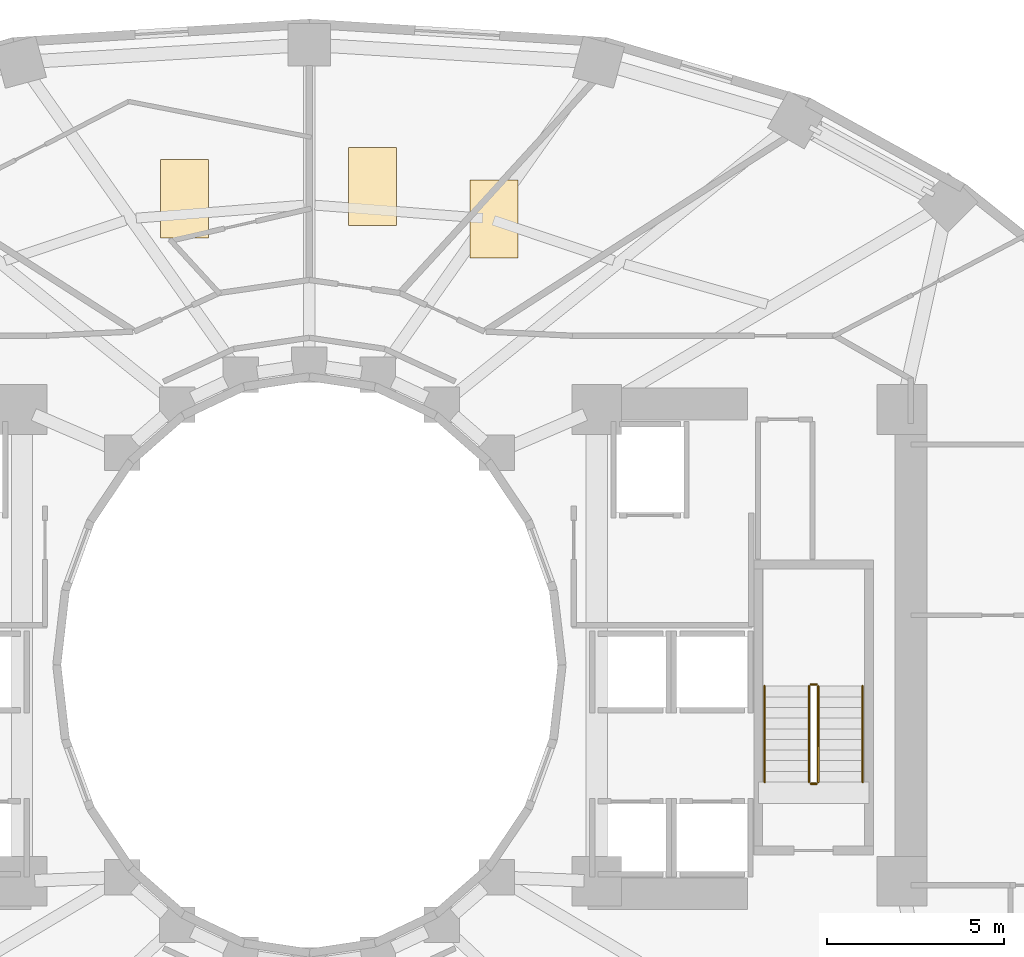
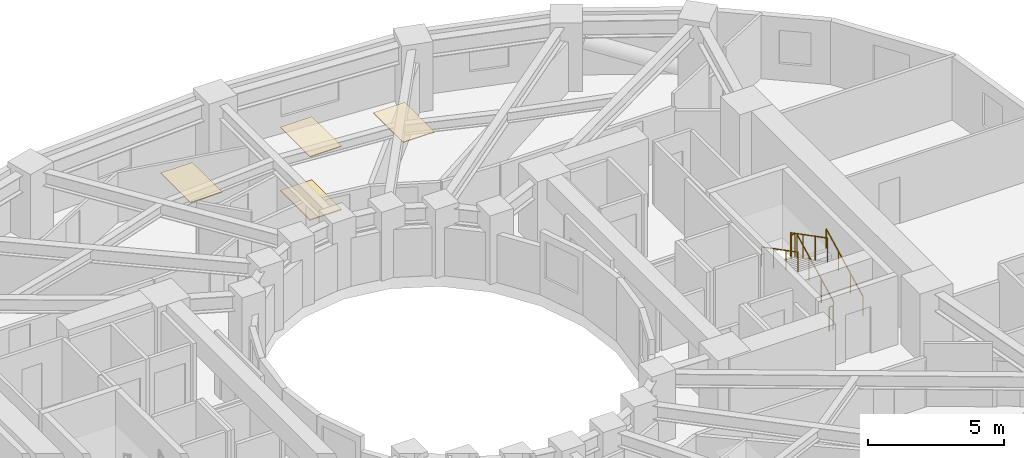
# One storey, part 9 of 9: 6 railings, 4 coverings.
"""IFC4 building model written with IfcOpenShell, lengths in metres."""

from ifc_helpers import new_model, si_unit, direction, frame, origin, origin_2d, place, context, subcontext, project, spatial, polyline, circle, outline, extrude, material, layer, layer_set, type_object, element, save


model = new_model("IFC4")

# Units and contexts
model_context = context("Model", 3, precision=1e-05, world=origin(), true_north=direction((0.0, 1.0)))
body_context = subcontext(model_context, "Body", "Model", "MODEL_VIEW")
ifc_project = project(units=[si_unit("LENGTHUNIT", "METRE"), si_unit("AREAUNIT", "SQUARE_METRE"), si_unit("VOLUMEUNIT", "CUBIC_METRE"), si_unit("PLANEANGLEUNIT", "RADIAN"), si_unit("MASSUNIT", "GRAM", prefix="KILO")], contexts=[model_context])

# Site, building, storey
site_placement = place(None, origin())
site = spatial("IfcSite", under=ifc_project, at=site_placement, CompositionType="ELEMENT")
building_placement = place(site_placement, origin())
building = spatial("IfcBuilding", under=site, at=building_placement, Name="Solvane Sanctuary Tower", CompositionType="ELEMENT")
storey_placement = place(building_placement, frame((0.0, 0.0, 55.5)))
storey = spatial("IfcBuildingStorey", under=building, at=storey_placement, Name="L16", CompositionType="ELEMENT", Elevation=55.5)

# Coverings
ifc_material_1 = material(Name="Acoustic Gypsum Partition Board")
ifc_layer_1 = layer(ifc_material_1, 0.02490234375, Name="Acoustic Gypsum Partition Board")
ifc_layer_set_1 = layer_set([ifc_layer_1], Name="Acoustic Gypsum Partition Board")
covering_type_1 = type_object("IfcCoveringType", Name="Covering CLG-ACOUST", PredefinedType="CEILING", material=ifc_layer_set_1)
covering_1_placement = place(storey_placement, frame((0.0, 0.0, 2.85009765625)))
element("IfcCovering", 1, at=covering_1_placement, inside=storey, type_object=covering_type_1, Name="L16 Unit Acoustic Ceiling Panel 1", PredefinedType="CEILING", context=body_context, shape_type="SweptSolid", body=[
    extrude(outline(polyline([(36.529052734375, 34.465087890625), (37.87890625, 34.465087890625), (37.87890625, 36.6650390625), (36.529052734375, 36.6650390625), (36.529052734375, 34.465087890625)])), origin(), (0.0, 0.0, 1.0), 0.02978515625),
])
covering_2_placement = place(storey_placement, frame((0.0, 0.0, 2.85009765625)))
element("IfcCovering", 2, at=covering_2_placement, inside=storey, type_object=covering_type_1, Name="L16 Unit Acoustic Ceiling Panel 2", PredefinedType="CEILING", context=body_context, shape_type="SweptSolid", body=[
    extrude(outline(polyline([(33.10009765625, 35.384033203125), (34.449951171875, 35.384033203125), (34.449951171875, 37.583984375), (33.10009765625, 37.583984375), (33.10009765625, 35.384033203125)])), origin(), (0.0, 0.0, 1.0), 0.02978515625),
])
covering_3_placement = place(storey_placement, frame((0.0, 0.0, 2.85009765625)))
element("IfcCovering", 3, at=covering_3_placement, inside=storey, type_object=covering_type_1, Name="L16 Unit Acoustic Ceiling Panel 3", PredefinedType="CEILING", context=body_context, shape_type="SweptSolid", body=[
    extrude(outline(polyline([(27.804931640625, 35.037109375), (29.155029296875, 35.037109375), (29.155029296875, 37.237060546875), (27.804931640625, 37.237060546875), (27.804931640625, 35.037109375)])), origin(), (0.0, 0.0, 1.0), 0.02978515625),
])
ifc_material_2 = material(Name="Ceramic Tile Finish")
ifc_layer_2 = layer(ifc_material_2, 0.030029296875, Name="Ceramic Tile Finish")
ifc_layer_set_2 = layer_set([ifc_layer_2], Name="Ceramic Tile Finish")
covering_type_2 = type_object("IfcCoveringType", Name="Covering FLR-TERRAZZO", PredefinedType="FLOORING", material=ifc_layer_set_2)
covering_4_placement = place(storey_placement, origin())
element("IfcCovering", 4, at=covering_4_placement, inside=storey, type_object=covering_type_2, Name="L16 Unit Terrazzo Inlay 2", PredefinedType="FLOORING", context=body_context, shape_type="SweptSolid", body=[
    extrude(outline(polyline([(33.10009765625, 35.384033203125), (34.449951171875, 35.384033203125), (34.449951171875, 37.583984375), (33.10009765625, 37.583984375), (33.10009765625, 35.384033203125)])), origin(), (0.0, 0.0, 1.0), 0.034912109375),
])

# Railings
ifc_material_3 = material(Name="Architectural Stainless Steel 316", Category="steel")
railing_type_1 = type_object("IfcRailingType", Name="Railing GR-BALC-1150", PredefinedType="BALUSTRADE", material=ifc_material_3)
railing_1_placement = place(storey_placement, frame((46.340087890625, 19.699951171875, 0.155029296875)))
element("IfcRailing", 5, at=railing_1_placement, inside=storey, type_object=railing_type_1, Name="L16 ST-2 stair guard 1", PredefinedType="BALUSTRADE", context=body_context, shape_type="SweptSolid", body=[
    extrude(circle(Radius=0.02392578125, at=origin_2d()), frame((0.0, 0.0, 1.076171875), z_axis=(0.0, 0.888419900624, 0.459031676658), x_axis=(-1.0, 0.0, 0.0)), (0.0, 0.0, 1.0), 3.0390625),
    extrude(circle(Radius=0.02099609375, at=origin_2d()), origin(), (0.0, 0.0, 1.0), 1.052001953125),
    extrude(circle(Radius=0.02099609375, at=origin_2d()), frame((0.0, 0.89990234375, 0.465087890625)), (0.0, 0.0, 1.0), 1.052001953125),
    extrude(circle(Radius=0.02099609375, at=origin_2d()), frame((0.0, 1.800048828125, 0.929931640625)), (0.0, 0.0, 1.0), 1.052001953125),
    extrude(circle(Radius=0.02099609375, at=origin_2d()), frame((0.0, 2.699951171875, 1.39501953125)), (0.0, 0.0, 1.0), 1.052001953125),
])
railing_2_placement = place(storey_placement, frame((46.2900390625, 22.449951171875, 1.550048828125)))
element("IfcRailing", 6, at=railing_2_placement, inside=storey, type_object=railing_type_1, Name="L16 ST-2 stair guard 2", PredefinedType="BALUSTRADE", context=body_context, shape_type="SweptSolid", body=[
    extrude(circle(Radius=0.02392578125, at=origin_2d()), frame((0.0, 0.0, 1.076171875), z_axis=(-1.0, 0.0, 0.0), x_axis=(0.0, -1.0, 0.0)), (0.0, 0.0, 1.0), 0.16015625),
    extrude(circle(Radius=0.02099609375, at=origin_2d()), origin(), (0.0, 0.0, 1.0), 1.052001953125),
    extrude(circle(Radius=0.02099609375, at=origin_2d()), frame((-0.16015625, 0.0, 0.0)), (0.0, 0.0, 1.0), 1.052001953125),
])
railing_3_placement = place(storey_placement, frame((46.080078125, 22.39990234375, 1.705078125)))
element("IfcRailing", 7, at=railing_3_placement, inside=storey, type_object=railing_type_1, Name="L16 ST-2 stair guard 3", PredefinedType="BALUSTRADE", context=body_context, shape_type="SweptSolid", body=[
    extrude(circle(Radius=0.02392578125, at=origin_2d()), frame((0.0, 0.0, 1.076171875), z_axis=(0.0, -0.888419900624, 0.459031676658), x_axis=(1.0, 0.0, 0.0)), (0.0, 0.0, 1.0), 3.0390625),
    extrude(circle(Radius=0.02099609375, at=origin_2d()), origin(), (0.0, 0.0, 1.0), 1.052001953125),
    extrude(circle(Radius=0.02099609375, at=origin_2d()), frame((0.0, -0.89990234375, 0.465087890625)), (0.0, 0.0, 1.0), 1.052001953125),
    extrude(circle(Radius=0.02099609375, at=origin_2d()), frame((0.0, -1.800048828125, 0.929931640625)), (0.0, 0.0, 1.0), 1.052001953125),
    extrude(circle(Radius=0.02099609375, at=origin_2d()), frame((0.0, -2.699951171875, 1.39501953125)), (0.0, 0.0, 1.0), 1.052001953125),
])
railing_4_placement = place(storey_placement, frame((46.2900390625, 19.64990234375, 0.0)))
element("IfcRailing", 8, at=railing_4_placement, inside=storey, type_object=railing_type_1, Name="L16 ST-2 stair guard 4", PredefinedType="BALUSTRADE", context=body_context, shape_type="SweptSolid", body=[
    extrude(circle(Radius=0.02392578125, at=origin_2d()), frame((0.0, 0.0, 1.076171875), z_axis=(-1.0, 0.0, 0.0), x_axis=(0.0, -1.0, 0.0)), (0.0, 0.0, 1.0), 0.16015625),
    extrude(circle(Radius=0.02099609375, at=origin_2d()), origin(), (0.0, 0.0, 1.0), 1.052001953125),
    extrude(circle(Radius=0.02099609375, at=origin_2d()), frame((-0.16015625, 0.0, 0.0)), (0.0, 0.0, 1.0), 1.052001953125),
])
railing_type_2 = type_object("IfcRailingType", Name="Railing HR-STAIR-920", PredefinedType="HANDRAIL", material=ifc_material_3)
railing_5_placement = place(storey_placement, frame((47.590087890625, 19.699951171875, 0.155029296875)))
element("IfcRailing", 9, at=railing_5_placement, inside=storey, type_object=railing_type_2, Name="L16 ST-2 stair handrail 1", PredefinedType="HANDRAIL", context=body_context, shape_type="SweptSolid", body=[
    extrude(circle(Radius=0.02392578125, at=origin_2d()), frame((0.0, 0.0, 0.8759765625), z_axis=(0.0, 0.888419900624, 0.459031676658), x_axis=(-1.0, 0.0, 0.0)), (0.0, 0.0, 1.0), 3.0390625),
    extrude(circle(Radius=0.02099609375, at=origin_2d()), origin(), (0.0, 0.0, 1.0), 0.851806640625),
    extrude(circle(Radius=0.02099609375, at=origin_2d()), frame((0.0, 0.89990234375, 0.465087890625)), (0.0, 0.0, 1.0), 0.851806640625),
    extrude(circle(Radius=0.02099609375, at=origin_2d()), frame((0.0, 1.800048828125, 0.929931640625)), (0.0, 0.0, 1.0), 0.851806640625),
    extrude(circle(Radius=0.02099609375, at=origin_2d()), frame((0.0, 2.699951171875, 1.39501953125)), (0.0, 0.0, 1.0), 0.851806640625),
])
railing_6_placement = place(storey_placement, frame((44.830078125, 22.39990234375, 1.705078125)))
element("IfcRailing", 10, at=railing_6_placement, inside=storey, type_object=railing_type_2, Name="L16 ST-2 stair handrail 2", PredefinedType="HANDRAIL", context=body_context, shape_type="SweptSolid", body=[
    extrude(circle(Radius=0.02392578125, at=origin_2d()), frame((0.0, 0.0, 0.8759765625), z_axis=(0.0, -0.888419900624, 0.459031676658), x_axis=(1.0, 0.0, 0.0)), (0.0, 0.0, 1.0), 3.0390625),
    extrude(circle(Radius=0.02099609375, at=origin_2d()), origin(), (0.0, 0.0, 1.0), 0.851806640625),
    extrude(circle(Radius=0.02099609375, at=origin_2d()), frame((0.0, -0.89990234375, 0.465087890625)), (0.0, 0.0, 1.0), 0.851806640625),
    extrude(circle(Radius=0.02099609375, at=origin_2d()), frame((0.0, -1.800048828125, 0.929931640625)), (0.0, 0.0, 1.0), 0.851806640625),
    extrude(circle(Radius=0.02099609375, at=origin_2d()), frame((0.0, -2.699951171875, 1.39501953125)), (0.0, 0.0, 1.0), 0.851806640625),
])

save(model, "model.ifc")
